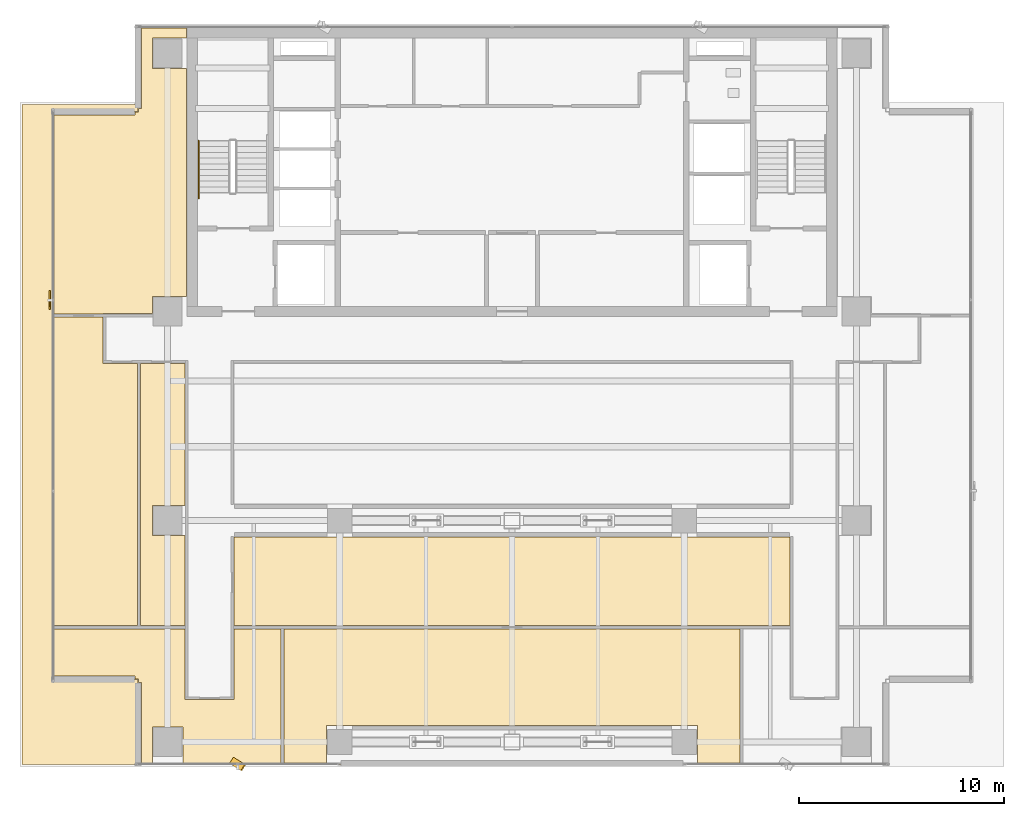
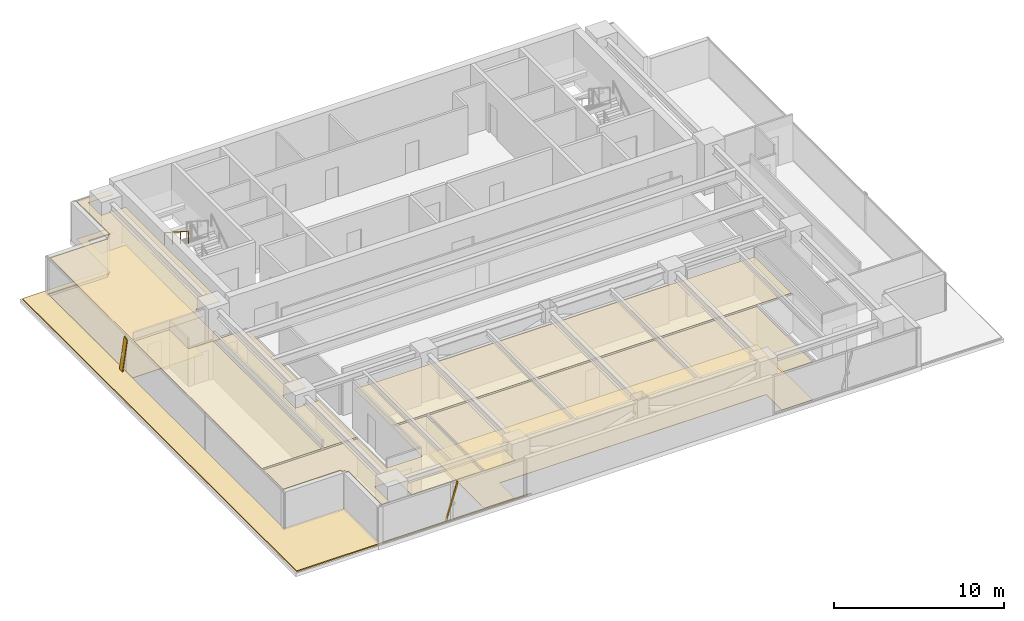
# One storey, part 23 of 27: 9 coverings, 2 shading devices, 1 railing.
"""IFC4 building model written with IfcOpenShell, lengths in metres."""

from ifc_helpers import new_model, si_unit, direction, frame, origin, origin_2d, place, context, subcontext, project, spatial, polyline, rectangle, outline, extrude, source, transform, mapped, material, layer, layer_set, material_profile, profile_set, type_object, element, save


model = new_model("IFC4")

# Units and contexts
model_context = context("Model", 3, precision=1e-05, world=origin(), true_north=direction((0.0, 1.0)))
body_context = subcontext(model_context, "Body", "Model", "MODEL_VIEW")
ifc_project = project(units=[si_unit("LENGTHUNIT", "METRE"), si_unit("AREAUNIT", "SQUARE_METRE"), si_unit("VOLUMEUNIT", "CUBIC_METRE"), si_unit("PLANEANGLEUNIT", "RADIAN"), si_unit("MASSUNIT", "GRAM", prefix="KILO")], contexts=[model_context])

# Site, building, storey
site_placement = place(None, origin())
site = spatial("IfcSite", under=ifc_project, at=site_placement, CompositionType="ELEMENT")
building_placement = place(site_placement, origin())
building = spatial("IfcBuilding", under=site, at=building_placement, Name="Sumidabori Civic Tower", CompositionType="ELEMENT")
storey_placement = place(building_placement, frame((0.0, 0.0, 228.800048828125)))
storey = spatial("IfcBuildingStorey", under=building, at=storey_placement, Name="L59", CompositionType="ELEMENT", Elevation=228.800048828125)

# Coverings
ifc_material_1 = material(Name="Acoustic Mineral Gypsum Ceiling Tile")
ifc_layer_1 = layer(ifc_material_1, 0.034912109375, Name="Acoustic Mineral Gypsum Ceiling Tile")
ifc_layer_set_1 = layer_set([ifc_layer_1], Name="Acoustic Mineral Gypsum Ceiling Tile")
covering_type_1 = type_object("IfcCoveringType", Name="CV-CEIL-AC1", PredefinedType="CEILING", material=ifc_layer_set_1)
covering_1_placement = place(storey_placement, frame((0.0, 0.0, 2.719970703125)))
element("IfcCovering", 1, at=covering_1_placement, inside=storey, type_object=covering_type_1, Name="Room Acoustic Ceiling L59-01", PredefinedType="CEILING", context=body_context, shape_type="SweptSolid", body=[
    extrude(outline(polyline([(-22.330078125, 10.080078125), (-22.330078125, 19.77197265625), (-18.39208984375, 19.77197265625), (-18.39208984375, 19.929931640625), (-18.22998046875, 19.929931640625), (-18.22998046875, 20.092041015625), (-18.072021484375, 20.092041015625), (-18.072021484375, 24.030029296875), (-15.8779296875, 24.030029296875), (-15.8779296875, 23.5400390625), (-17.5400390625, 23.5400390625), (-17.5400390625, 22.06005859375), (-15.8779296875, 22.06005859375), (-15.8779296875, 10.93994140625), (-17.5400390625, 10.93994140625), (-17.5400390625, 10.090087890625), (-19.93994140625, 10.090087890625), (-19.93994140625, 10.080078125), (-22.330078125, 10.080078125)])), origin(), (0.0, 0.0, 1.0), 0.034912109375),
])
covering_2_placement = place(storey_placement, frame((0.0, 0.0, 2.719970703125)))
element("IfcCovering", 2, at=covering_2_placement, inside=storey, type_object=covering_type_1, Name="Room Acoustic Ceiling L59-04", PredefinedType="CEILING", context=body_context, shape_type="SweptSolid", body=[
    extrude(outline(polyline([(-22.330078125, -5.1201171875), (-22.330078125, 9.919921875), (-19.93994140625, 9.919921875), (-19.93994140625, 7.659912109375), (-18.280029296875, 7.659912109375), (-18.280029296875, -5.1201171875), (-22.330078125, -5.1201171875)])), origin(), (0.0, 0.0, 1.0), 0.034912109375),
])
covering_3_placement = place(storey_placement, frame((0.0, 0.0, 2.719970703125)))
element("IfcCovering", 3, at=covering_3_placement, inside=storey, type_object=covering_type_1, Name="Room Acoustic Ceiling L59-06", PredefinedType="CEILING", context=body_context, shape_type="SweptSolid", body=[
    extrude(outline(polyline([(-18.1201171875, 7.659912109375), (-15.93994140625, 7.659912109375), (-15.93994140625, 0.739990234375), (-17.5400390625, 0.739990234375), (-17.5400390625, -0.739990234375), (-15.93994140625, -0.739990234375), (-15.93994140625, -5.1201171875), (-18.1201171875, -5.1201171875), (-18.1201171875, 7.659912109375)])), origin(), (0.0, 0.0, 1.0), 0.034912109375),
])
covering_4_placement = place(storey_placement, frame((0.0, 0.0, 2.719970703125)))
element("IfcCovering", 4, at=covering_4_placement, inside=storey, type_object=covering_type_1, Name="Room Acoustic Ceiling L59-08", PredefinedType="CEILING", context=body_context, shape_type="SweptSolid", body=[
    extrude(outline(polyline([(-13.56005859375, -0.800048828125), (13.56005859375, -0.800048828125), (13.56005859375, -5.1201171875), (-13.56005859375, -5.1201171875), (-13.56005859375, -0.800048828125)])), origin(), (0.0, 0.0, 1.0), 0.034912109375),
])
covering_5_placement = place(storey_placement, frame((0.0, 0.0, 2.719970703125)))
element("IfcCovering", 5, at=covering_5_placement, inside=storey, type_object=covering_type_1, Name="Room Acoustic Ceiling L59-09", PredefinedType="CEILING", context=body_context, shape_type="SweptSolid", body=[
    extrude(outline(polyline([(11.1201171875, -11.830078125), (9.0400390625, -11.830078125), (9.0400390625, -10.0), (-9.0400390625, -10.0), (-9.0400390625, -11.830078125), (-11.1201171875, -11.830078125), (-11.1201171875, -5.280029296875), (11.1201171875, -5.280029296875), (11.1201171875, -11.830078125)])), origin(), (0.0, 0.0, 1.0), 0.034912109375),
])
covering_6_placement = place(storey_placement, frame((0.0, 0.0, 2.719970703125)))
element("IfcCovering", 6, at=covering_6_placement, inside=storey, type_object=covering_type_1, Name="Room Acoustic Ceiling L59-10", PredefinedType="CEILING", context=body_context, shape_type="SweptSolid", body=[
    extrude(outline(polyline([(-22.330078125, -7.572021484375), (-22.330078125, -5.280029296875), (-15.93994140625, -5.280029296875), (-15.93994140625, -8.739990234375), (-13.56005859375, -8.739990234375), (-13.56005859375, -5.280029296875), (-11.280029296875, -5.280029296875), (-11.280029296875, -11.830078125), (-16.06005859375, -11.830078125), (-16.06005859375, -10.06005859375), (-17.5400390625, -10.06005859375), (-17.5400390625, -11.830078125), (-18.072021484375, -11.830078125), (-18.072021484375, -7.89208984375), (-18.22998046875, -7.89208984375), (-18.22998046875, -7.72998046875), (-18.39208984375, -7.72998046875), (-18.39208984375, -7.572021484375), (-22.330078125, -7.572021484375)])), origin(), (0.0, 0.0, 1.0), 0.034912109375),
])
ifc_material_2 = material(Name="Honed Terrazzo Tile Flooring")
ifc_layer_2 = layer(ifc_material_2, 0.030029296875, Name="Honed Terrazzo Tile Flooring")
ifc_layer_set_2 = layer_set([ifc_layer_2], Name="Honed Terrazzo Tile Flooring")
covering_type_2 = type_object("IfcCoveringType", Name="CV-FLR-TER", PredefinedType="FLOORING", material=ifc_layer_set_2)
covering_7_placement = place(storey_placement, origin())
element("IfcCovering", 7, at=covering_7_placement, inside=storey, type_object=covering_type_2, Name="Room Terrazzo Floor L59-01", PredefinedType="FLOORING", context=body_context, shape_type="SweptSolid", body=[
    extrude(outline(polyline([(-22.330078125, 10.080078125), (-22.330078125, 19.77197265625), (-18.39208984375, 19.77197265625), (-18.39208984375, 19.929931640625), (-18.22998046875, 19.929931640625), (-18.22998046875, 20.092041015625), (-18.072021484375, 20.092041015625), (-18.072021484375, 24.030029296875), (-15.8779296875, 24.030029296875), (-15.8779296875, 23.5400390625), (-17.5400390625, 23.5400390625), (-17.5400390625, 22.06005859375), (-15.8779296875, 22.06005859375), (-15.8779296875, 10.93994140625), (-17.5400390625, 10.93994140625), (-17.5400390625, 10.090087890625), (-19.93994140625, 10.090087890625), (-19.93994140625, 10.080078125), (-22.330078125, 10.080078125)])), origin(), (0.0, 0.0, 1.0), 0.030029296875),
])
covering_8_placement = place(storey_placement, origin())
element("IfcCovering", 8, at=covering_8_placement, inside=storey, type_object=covering_type_2, Name="Room Terrazzo Floor L59-09", PredefinedType="FLOORING", context=body_context, shape_type="SweptSolid", body=[
    extrude(outline(polyline([(11.1201171875, -11.830078125), (9.0400390625, -11.830078125), (9.0400390625, -10.0), (-9.0400390625, -10.0), (-9.0400390625, -11.830078125), (-11.1201171875, -11.830078125), (-11.1201171875, -5.280029296875), (11.1201171875, -5.280029296875), (11.1201171875, -11.830078125)])), origin(), (0.0, 0.0, 1.0), 0.030029296875),
])
ifc_material_3 = material(Name="Insulated Waterproof Roofing Membrane")
ifc_layer_3 = layer(ifc_material_3, 0.080078125, Name="Insulated Waterproof Roofing Membrane")
ifc_layer_set_3 = layer_set([ifc_layer_3], Name="Insulated Waterproof Roofing Membrane")
covering_type_3 = type_object("IfcCoveringType", Name="CV-ROOF-MEM", PredefinedType="ROOFING", material=ifc_layer_set_3)
covering_9_placement = place(storey_placement, origin())
element("IfcCovering", 9, at=covering_9_placement, inside=storey, type_object=covering_type_3, Name="Setback Roof Membrane L59-1", PredefinedType="ROOFING", context=body_context, shape_type="SweptSolid", body=[
    extrude(outline(polyline([(-23.89990234375, 20.300048828125), (-18.25, 20.300048828125), (-18.25, 19.949951171875), (-22.35009765625, 19.949951171875), (-22.35009765625, -7.75), (-18.25, -7.75), (-18.25, -11.85009765625), (-7.949951171875, -11.85009765625), (-7.949951171875, -11.89990234375), (-23.89990234375, -11.89990234375), (-23.89990234375, 20.300048828125)])), origin(), (0.0, 0.0, 1.0), 0.079833984375),
])

# Railing
ifc_material_4 = material(Name="Stainless Steel Hairline Finish", Category="steel")
railing_type = type_object("IfcRailingType", Name="RL-HANDRAIL", PredefinedType="HANDRAIL", material=ifc_material_4)
railing_placement = place(storey_placement, frame((-15.2900390625, 18.52001953125, 1.97998046875)))
element("IfcRailing", 10, at=railing_placement, inside=storey, type_object=railing_type, Name="L59 ST-1 stair handrail 2", PredefinedType="HANDRAIL", context=body_context, shape_type="SweptSolid", body=[
    extrude(rectangle(XDim=0.048095703125, YDim=0.048095703125, at=origin_2d()), frame((0.0, 0.0, 0.8759765625), z_axis=(0.0, -0.840675598268, 0.541539046124), x_axis=(1.0, 0.0, 0.0)), (0.0, 0.0, 1.0), 3.330810546875),
    extrude(rectangle(XDim=0.0419921875, YDim=0.0419921875, at=origin_2d()), origin(), (0.0, 0.0, 1.0), 0.851806640625),
    extrude(rectangle(XDim=0.0419921875, YDim=0.0419921875, at=origin_2d()), frame((0.0, -0.933349609375, 0.601318359375)), (0.0, 0.0, 1.0), 0.851806640625),
    extrude(rectangle(XDim=0.0419921875, YDim=0.0419921875, at=origin_2d()), frame((0.0, -1.86669921875, 1.202392578125)), (0.0, 0.0, 1.0), 0.851806640625),
    extrude(rectangle(XDim=0.0419921875, YDim=0.0419921875, at=origin_2d()), frame((0.0, -2.800048828125, 1.8037109375)), (0.0, 0.0, 1.0), 0.851806640625),
])

# Shading devices
ifc_material_5 = material(Name="Anodised Bronze Aluminium AW-6063-T6", Category="aluminium")
ifc_material_profile = material_profile(ifc_material_5, rectangle(XDim=0.054931640625, YDim=0.360107421875, at=origin_2d()), Name="BRONZE FIN 360x55")
ifc_profile_set = profile_set([ifc_material_profile], Name="Anodised Bronze Aluminium AW-6063-T6")
shading_device_type = type_object("IfcShadingDeviceType", Name="SH-FIN-360", PredefinedType="USERDEFINED", material=ifc_profile_set)
shared_shape_1 = source(origin(), body_context, "Body", "SweptSolid", [
    extrude(rectangle(XDim=0.054931640625, YDim=0.360107421875, at=origin_2d()), origin(), (0.0, 0.0, 1.0), 2.7685546875),
])
shading_device_1_placement = place(storey_placement, frame((-13.6650390625, -11.7099609375, 0.02001953125), z_axis=(0.202289930374, -0.122837782481, 0.971591304646), x_axis=(0.830469701518, -0.504291322674, -0.236665030656)))
element("IfcShadingDevice", 11, at=shading_device_1_placement, inside=storey, type_object=shading_device_type, Name="Bronze Anodised Diagonal Fin L59-01", ObjectType="FIN", PredefinedType="USERDEFINED", context=body_context, shape_type="MappedRepresentation", body=[
    mapped(shared_shape_1, transform((0.0, 0.0, 0.0), x_axis=(1.0, 0.0, 0.0), y_axis=(0.0, 1.0, 0.0), z_axis=(0.0, 0.0, 1.0), scale=1.0)),
])
shared_shape_2 = source(origin(), body_context, "Body", "SweptSolid", [
    extrude(rectangle(XDim=0.054931640625, YDim=0.360107421875, at=origin_2d()), origin(), (0.0, 0.0, 1.0), 2.74755859375),
])
shading_device_2_placement = place(storey_placement, frame((-22.550048828125, 11.03662109375, 0.02001953125), z_axis=(0.0, -0.203748445037, 0.979023274057), x_axis=(-1.0, 0.0, 0.0)))
element("IfcShadingDevice", 12, at=shading_device_2_placement, inside=storey, type_object=shading_device_type, Name="Bronze Anodised Diagonal Fin L59-01", ObjectType="FIN", PredefinedType="USERDEFINED", context=body_context, shape_type="MappedRepresentation", body=[
    mapped(shared_shape_2, transform((0.0, 0.0, 0.0), x_axis=(1.0, 0.0, 0.0), y_axis=(0.0, 1.0, 0.0), z_axis=(0.0, 0.0, 1.0), scale=1.0)),
])

save(model, "model.ifc")
